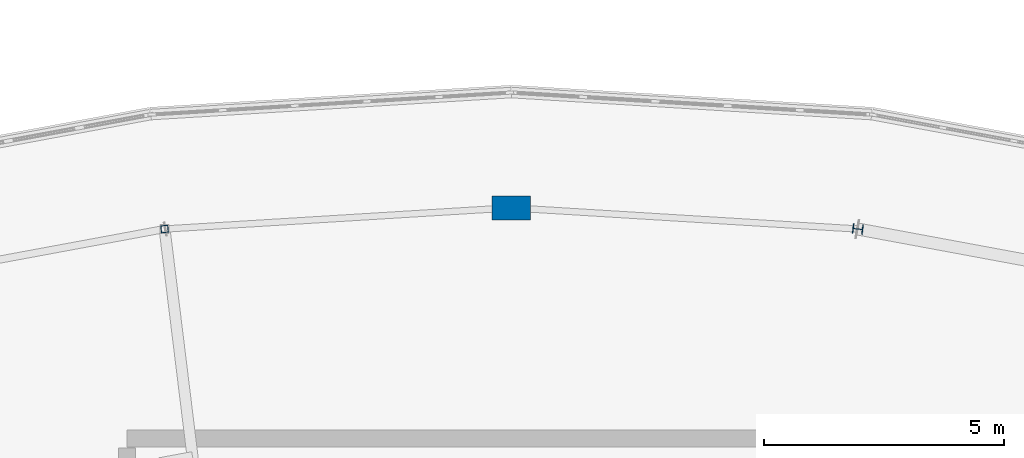
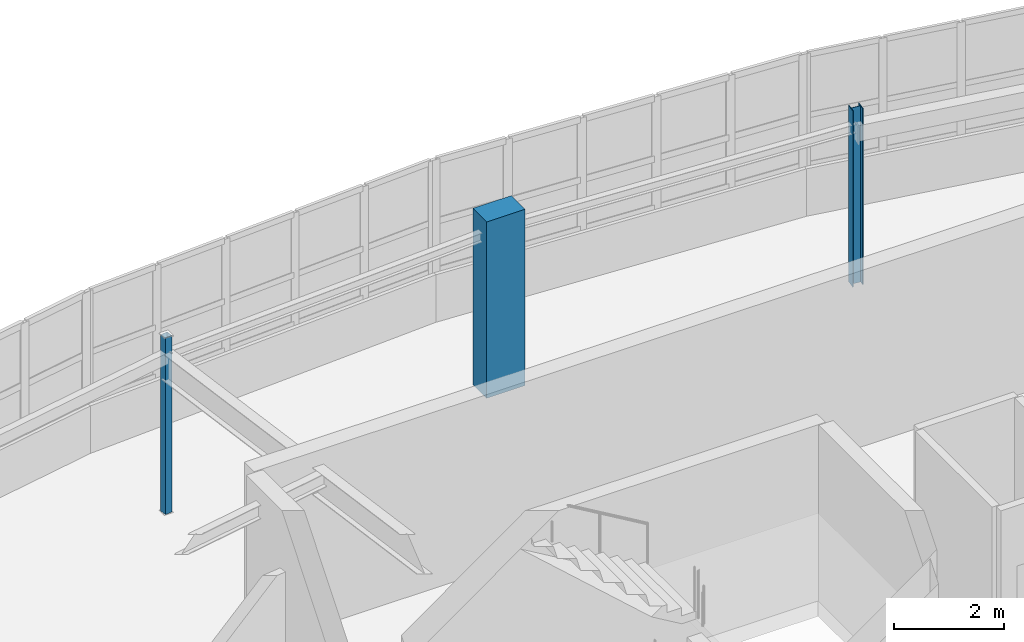
# One storey, part 14 of 79: 3 columns.
"""IFC4 building model written with IfcOpenShell, lengths in metres."""

from ifc_helpers import new_model, si_unit, direction, frame, origin, origin_2d, place, context, subcontext, project, spatial, rectangle, hollow_rectangle, i_section, extrude, material, material_profile, profile_set, type_object, element, save


model = new_model("IFC4")

# Units and contexts
model_context = context("Model", 3, precision=1e-05, world=origin(), true_north=direction((0.0, 1.0)))
body_context = subcontext(model_context, "Body", "Model", "MODEL_VIEW")
ifc_project = project(units=[si_unit("LENGTHUNIT", "METRE"), si_unit("AREAUNIT", "SQUARE_METRE"), si_unit("VOLUMEUNIT", "CUBIC_METRE"), si_unit("PLANEANGLEUNIT", "RADIAN"), si_unit("MASSUNIT", "GRAM", prefix="KILO")], contexts=[model_context])

# Site, building, storey
site_placement = place(None, origin())
site = spatial("IfcSite", under=ifc_project, at=site_placement, CompositionType="ELEMENT")
building_placement = place(site_placement, origin())
building = spatial("IfcBuilding", under=site, at=building_placement, Name="Tarnwether General Hospital", CompositionType="ELEMENT")
storey_placement = place(building_placement, frame((0.0, 0.0, 18.300048828125)))
storey = spatial("IfcBuildingStorey", under=building, at=storey_placement, Name="L04", CompositionType="ELEMENT", Elevation=18.300048828125)

# Columns
ifc_material_1 = material(Name="Concrete 50 MPa", Category="concrete")
ifc_material_profile_1 = material_profile(ifc_material_1, rectangle(XDim=0.5, YDim=0.800048828125, at=origin_2d()), Name="RC-PIL-500x800")
ifc_profile_set_1 = profile_set([ifc_material_profile_1], Name="Concrete 50 MPa")
column_type_1 = type_object("IfcColumnType", Name="COL-23", PredefinedType="PILASTER", material=ifc_profile_set_1)
column_1_placement = place(storey_placement, frame((92.0, 122.199951171875, 0.0), z_axis=(0.0, 0.0, 1.0), x_axis=(0.0, 1.0, 0.0)))
element("IfcColumn", 1, at=column_1_placement, inside=storey, type_object=column_type_1, Name="Column COLG-L04-9200_12220", PredefinedType="PILASTER", context=body_context, shape_type="SweptSolid", body=[
    extrude(rectangle(XDim=0.5, YDim=0.800048828125, at=origin_2d()), origin(), (0.0, 0.0, 1.0), 3.89990234375),
])
ifc_material_2 = material(Name="Steel Grade 350 (350 MPa)", Category="steel")
ifc_material_profile_2 = material_profile(ifc_material_2, i_section(OverallWidth=0.205078125, OverallDepth=0.2099609375, WebThickness=0.00927734375, FlangeThickness=0.01416015625, at=origin_2d()), Name="200UC59.5")
ifc_profile_set_2 = profile_set([ifc_material_profile_2], Name="Steel Grade 350 (350 MPa)")
column_type_2 = type_object("IfcColumnType", Name="COL-25", PredefinedType="COLUMN", material=ifc_profile_set_2)
column_2_placement = place(storey_placement, frame((99.215087890625, 121.759033203125, 0.0), z_axis=(0.0, 0.0, 1.0), x_axis=(0.121869343405, 0.992546151641, 0.0)))
element("IfcColumn", 2, at=column_2_placement, inside=storey, type_object=column_type_2, Name="Column COLG-L04-9922_12176", PredefinedType="COLUMN", context=body_context, shape_type="SweptSolid", body=[
    extrude(i_section(OverallWidth=0.205078125, OverallDepth=0.2099609375, WebThickness=0.00927734375, FlangeThickness=0.01416015625, at=origin_2d()), origin(), (0.0, 0.0, 1.0), 3.89990234375),
])
ifc_material_3 = material(Name="Steel Grade C350L0 (350 MPa)", Category="steel")
ifc_material_profile_3 = material_profile(ifc_material_3, hollow_rectangle(XDim=0.14990234375, YDim=0.14990234375, WallThickness=0.008056640625, at=origin_2d()), Name="SHS150x150x8")
ifc_profile_set_3 = profile_set([ifc_material_profile_3], Name="Steel Grade C350L0 (350 MPa)")
column_type_3 = type_object("IfcColumnType", Name="COL-33", PredefinedType="COLUMN", material=ifc_profile_set_3)
column_3_placement = place(storey_placement, frame((84.784912109375, 121.759033203125, 0.0), z_axis=(0.0, 0.0, 1.0), x_axis=(-0.121869343405, 0.992546151641, 0.0)))
element("IfcColumn", 3, at=column_3_placement, inside=storey, type_object=column_type_3, Name="Column COLG-L04-8478_12176", PredefinedType="COLUMN", context=body_context, shape_type="SweptSolid", body=[
    extrude(hollow_rectangle(XDim=0.14990234375, YDim=0.14990234375, WallThickness=0.008056640625, at=origin_2d()), origin(), (0.0, 0.0, 1.0), 3.89990234375),
])

save(model, "model.ifc")
